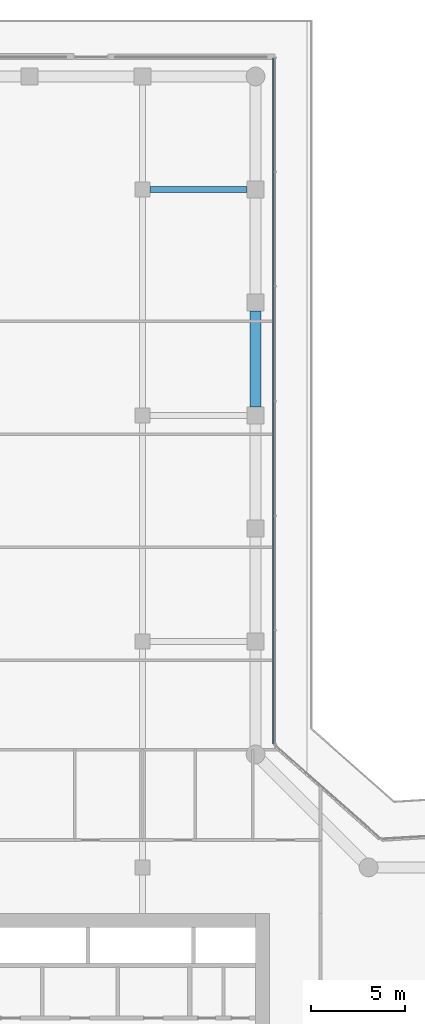
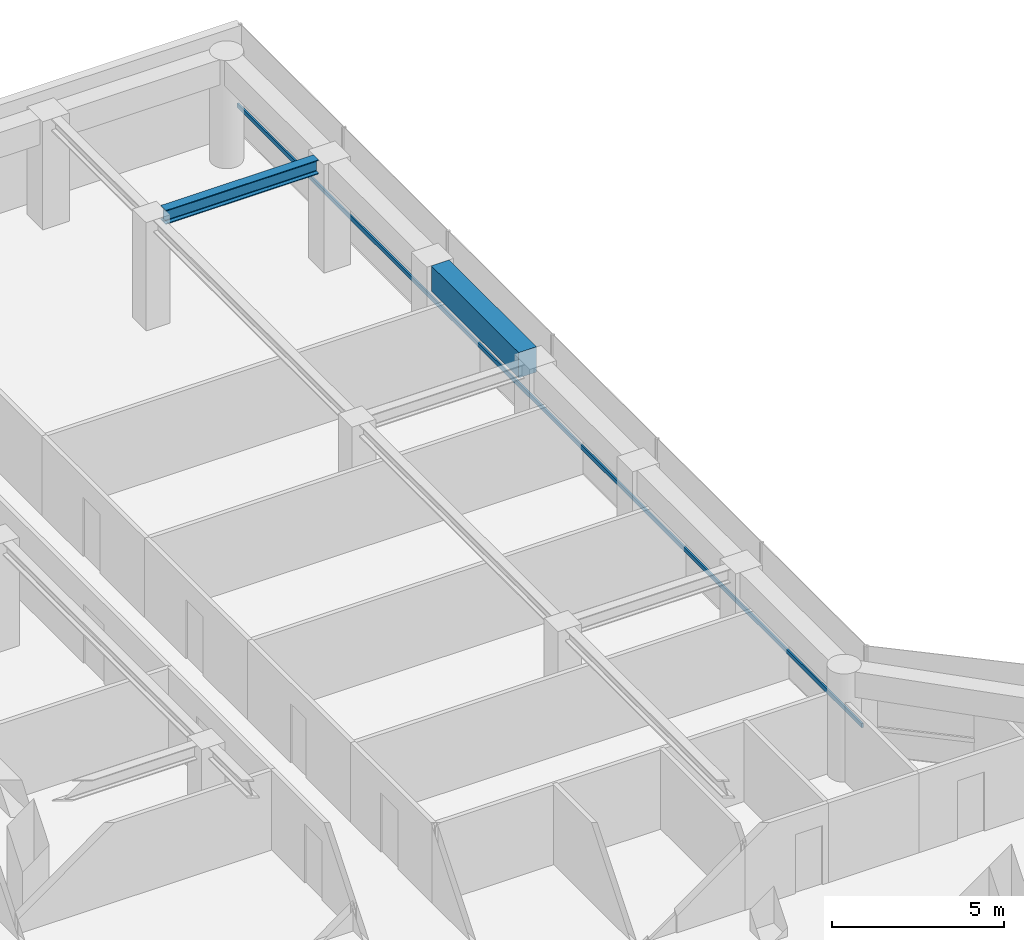
# One storey, part 15 of 23: 2 beams, 1 member, 1 element without a shape of its own.
"""IFC4 building model written with IfcOpenShell, lengths in metres."""

from ifc_helpers import new_model, si_unit, direction, frame, origin, origin_2d, place, context, subcontext, project, spatial, rectangle, i_section, extrude, material, layer, layer_set, material_profile, profile_set, type_object, element, aggregate, save


model = new_model("IFC4")

# Units and contexts
model_context = context("Model", 3, precision=1e-05, world=origin(), true_north=direction((0.0, 1.0)))
body_context = subcontext(model_context, "Body", "Model", "MODEL_VIEW")
ifc_project = project(units=[si_unit("LENGTHUNIT", "METRE"), si_unit("AREAUNIT", "SQUARE_METRE"), si_unit("VOLUMEUNIT", "CUBIC_METRE"), si_unit("PLANEANGLEUNIT", "RADIAN"), si_unit("MASSUNIT", "GRAM", prefix="KILO")], contexts=[model_context])

# Site, building, storey
site_placement = place(None, origin())
site = spatial("IfcSite", under=ifc_project, at=site_placement, CompositionType="ELEMENT")
building_placement = place(site_placement, origin())
building = spatial("IfcBuilding", under=site, at=building_placement, Name="Welwitschia Terrace Campus", CompositionType="ELEMENT")
storey_placement = place(building_placement, frame((0.0, 0.0, 96.199951171875)))
storey = spatial("IfcBuildingStorey", under=building, at=storey_placement, Name="L21", CompositionType="ELEMENT", Elevation=96.199951171875)

# Beams
ifc_material_1 = material(Name="Steel S355", Category="steel")
ifc_material_profile_1 = material_profile(ifc_material_1, i_section(OverallWidth=0.300048828125, OverallDepth=0.5, WebThickness=0.014404296875, FlangeThickness=0.028076171875, FilletRadius=0.027099609375, at=origin_2d()))
ifc_profile_set_1 = profile_set([ifc_material_profile_1], Name="Steel S355")
beam_type_1 = type_object("IfcBeamType", Name="Primary beam HE 500 B", PredefinedType="BEAM", material=ifc_profile_set_1)
beam_1_placement = place(storey_placement, frame((23.549560546875, 64.0, 3.60009765625), z_axis=(-1.0, 0.0, 0.0), x_axis=(0.0, -1.0, 0.0)))
element("IfcBeam", 1, at=beam_1_placement, inside=storey, type_object=beam_type_1, Name="Primary beam PB3", PredefinedType="BEAM", context=body_context, shape_type="SweptSolid", body=[
    extrude(i_section(OverallWidth=0.300048828125, OverallDepth=0.5, WebThickness=0.014404296875, FlangeThickness=0.028076171875, FilletRadius=0.027099609375, at=origin_2d()), origin(), (0.0, 0.0, 1.0), 5.149169921875),
])
ifc_material_2 = material(Name="Concrete C60/75", Category="concrete")
ifc_material_profile_2 = material_profile(ifc_material_2, rectangle(XDim=0.60009765625, YDim=0.89990234375, at=origin_2d()))
ifc_profile_set_2 = profile_set([ifc_material_profile_2], Name="Concrete C60/75")
beam_type_2 = type_object("IfcBeamType", Name="Ring spandrel 600x900", PredefinedType="SPANDREL", material=ifc_profile_set_2)
beam_2_placement = place(storey_placement, frame((24.0, 52.450439453125, 3.400146484375), z_axis=(0.0, 1.0, 0.0), x_axis=(-1.0, 0.0, 0.0)))
element("IfcBeam", 2, at=beam_2_placement, inside=storey, type_object=beam_type_2, Name="Spandrel SP2", PredefinedType="SPANDREL", context=body_context, shape_type="SweptSolid", body=[
    extrude(rectangle(XDim=0.60009765625, YDim=0.89990234375, at=origin_2d()), origin(), (0.0, 0.0, 1.0), 5.09912109375),
])

# Curtain wall, member
ifc_material_3 = material(Name="Bronze anodised aluminium", Category="aluminium")
ifc_layer = layer(ifc_material_3, 0.1201171875)
ifc_layer_set = layer_set([ifc_layer], Name="Bronze anodised aluminium")
curtain_wall_type = type_object("IfcCurtainWallType", Name="Curtain wall CW2 tower 6000", PredefinedType="NOTDEFINED", material=ifc_layer_set)
curtain_wall_placement = place(storey_placement, origin())
curtain_wall = element("IfcCurtainWall", 3, at=curtain_wall_placement, inside=storey, type_object=curtain_wall_type, Name="CW L21.8.0", PredefinedType="NOTDEFINED")
ifc_material_4 = material(Name="Bronze anodised aluminium", Category="aluminium")
ifc_material_profile_3 = material_profile(ifc_material_4, rectangle(XDim=0.06005859375, YDim=0.14990234375, at=origin_2d()))
ifc_profile_set_3 = profile_set([ifc_material_profile_3], Name="Bronze anodised aluminium")
member_type = type_object("IfcMemberType", Name="Transom 60x150", PredefinedType="USERDEFINED", material=ifc_profile_set_3)
member_placement = place(storey_placement, frame((24.93994140625, 34.556640625, 1.0), z_axis=(0.0, 1.0, 0.0), x_axis=(-1.0, 0.0, 0.0)))
member = element("IfcMember", 4, at=member_placement, type_object=member_type, Name="Transom L21.8.0", ObjectType="TRANSOM", PredefinedType="USERDEFINED", context=body_context, shape_type="SweptSolid", body=[
    extrude(rectangle(XDim=0.06005859375, YDim=0.14990234375, at=origin_2d()), origin(), (0.0, 0.0, 1.0), 36.413330078125),
])
aggregate(curtain_wall, [member])

save(model, "model.ifc")
